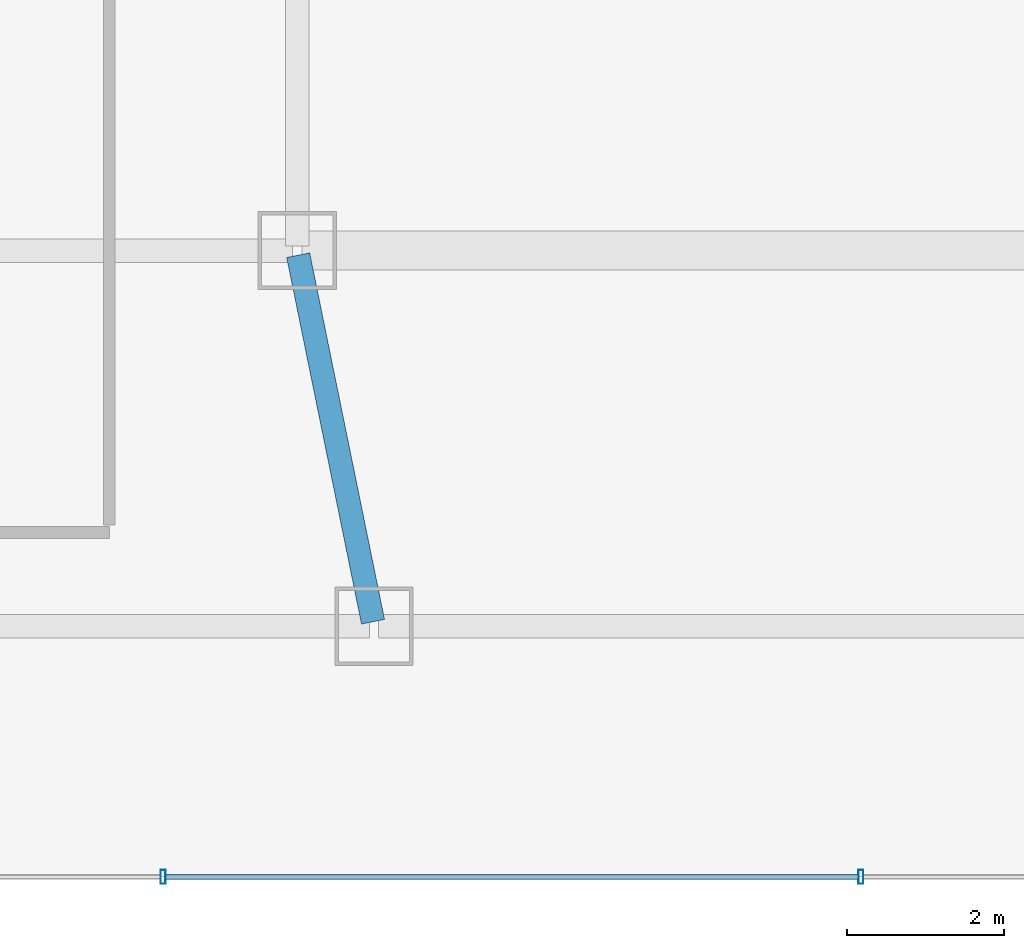
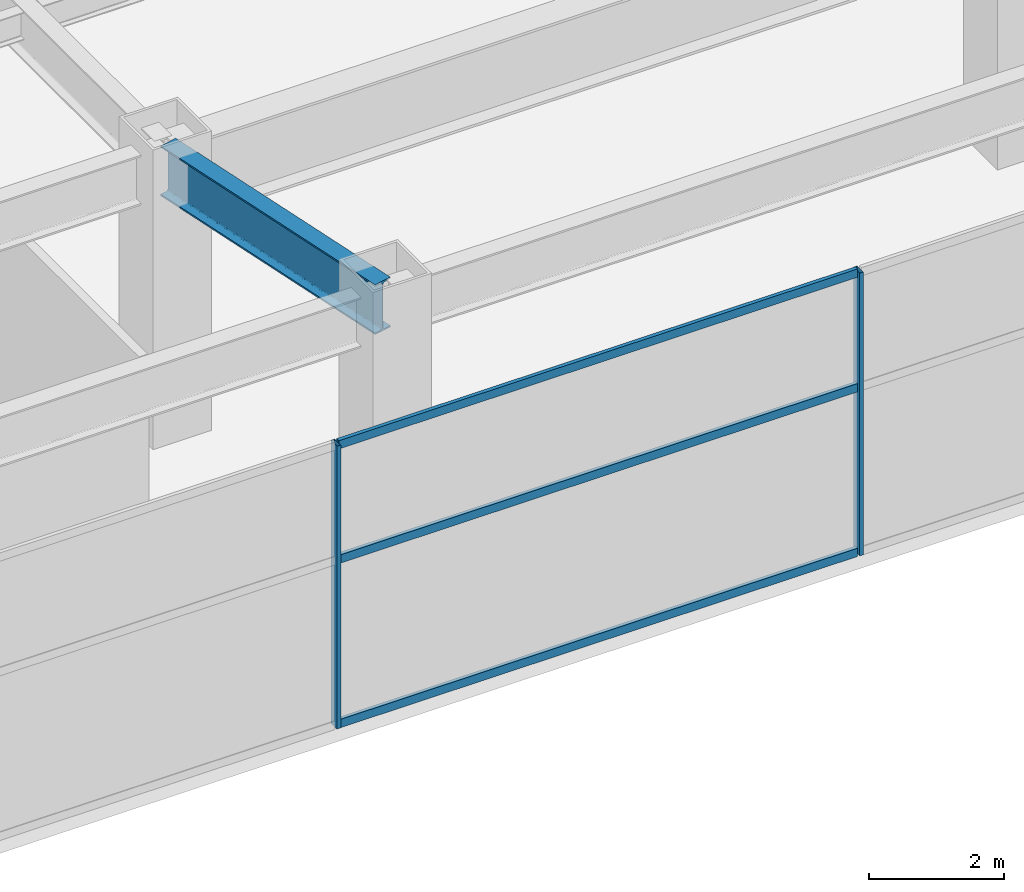
# One storey, part 10 of 51: 5 members, 1 beam, 1 element without a shape of its own.
"""IFC4 building model written with IfcOpenShell, lengths in metres."""

from ifc_helpers import new_model, si_unit, direction, frame, origin, origin_2d, place, context, subcontext, project, spatial, hollow_rectangle, i_section, extrude, material, material_profile, profile_set, type_object, element, aggregate, save


model = new_model("IFC4")

# Units and contexts
model_context = context("Model", 3, precision=1e-05, world=origin(), true_north=direction((0.0, 1.0)))
body_context = subcontext(model_context, "Body", "Model", "MODEL_VIEW")
ifc_project = project(units=[si_unit("LENGTHUNIT", "METRE"), si_unit("AREAUNIT", "SQUARE_METRE"), si_unit("VOLUMEUNIT", "CUBIC_METRE"), si_unit("PLANEANGLEUNIT", "RADIAN"), si_unit("MASSUNIT", "GRAM", prefix="KILO")], contexts=[model_context])

# Site, building, storey
site_placement = place(None, origin())
site = spatial("IfcSite", under=ifc_project, at=site_placement, CompositionType="ELEMENT")
building_placement = place(site_placement, origin())
building = spatial("IfcBuilding", under=site, at=building_placement, Name="Saevonmaru Cultural Tower", CompositionType="ELEMENT")
storey_placement = place(building_placement, frame((0.0, 0.0, 6.0)))
storey = spatial("IfcBuildingStorey", under=building, at=storey_placement, Name="L01", CompositionType="ELEMENT", Elevation=6.0)

# Beam
ifc_material_1 = material(Name="Steel SM420", Category="steel")
ifc_material_profile_1 = material_profile(ifc_material_1, i_section(OverallWidth=0.300048828125, OverallDepth=0.89990234375, WebThickness=0.01611328125, FlangeThickness=0.028076171875, FilletRadius=0.028076171875, at=origin_2d()), Name="H-900x300x16x28")
ifc_profile_set_1 = profile_set([ifc_material_profile_1], Name="Steel SM420")
beam_type = type_object("IfcBeamType", Name="BM-G-H900", PredefinedType="BEAM", material=ifc_profile_set_1)
beam_placement = place(storey_placement, frame((23.76806640625, 3.2587890625, 4.64990234375), z_axis=(-0.200054094908, 0.979784853481, 0.0), x_axis=(-0.979784853481, -0.200054094908, 0.0)))
element("IfcBeam", 1, at=beam_placement, inside=storey, type_object=beam_type, Name="L01 Podium Girder NS2-1", PredefinedType="BEAM", context=body_context, shape_type="SweptSolid", body=[
    extrude(i_section(OverallWidth=0.300048828125, OverallDepth=0.89990234375, WebThickness=0.01611328125, FlangeThickness=0.028076171875, FilletRadius=0.028076171875, at=origin_2d()), origin(), (0.0, 0.0, 1.0), 4.779052734375),
])

# Curtain wall, members
ifc_material_2 = material(Name="Satin Bronze Anodised Aluminium", Category="aluminium")
curtain_wall_type = type_object("IfcCurtainWallType", Name="CW-POD-GLZ", PredefinedType="NOTDEFINED", material=ifc_material_2)
curtain_wall_placement = place(storey_placement, origin())
curtain_wall = element("IfcCurtainWall", 2, at=curtain_wall_placement, inside=storey, type_object=curtain_wall_type, Name="L01 South Grand Foyer Curtain Wall", PredefinedType="NOTDEFINED")
ifc_material_profile_2 = material_profile(ifc_material_2, hollow_rectangle(XDim=0.06494140625, YDim=0.179931640625, WallThickness=0.00390625, at=origin_2d()), Name="ALU-MULL-180x65x4")
ifc_profile_set_2 = profile_set([ifc_material_profile_2], Name="Satin Bronze Anodised Aluminium")
member_type_1 = type_object("IfcMemberType", Name="ML-CW-180x65", PredefinedType="MULLION", material=ifc_profile_set_2)
member_1_placement = place(storey_placement, frame((21.086669921875, 0.0, 0.0), z_axis=(0.0, 0.0, 1.0), x_axis=(1.0, 0.0, 0.0)))
member_1 = element("IfcMember", 3, at=member_1_placement, type_object=member_type_1, Name="CW-POD-S-L01 mullion 3", PredefinedType="MULLION", context=body_context, shape_type="SweptSolid", body=[
    extrude(hollow_rectangle(XDim=0.06494140625, YDim=0.179931640625, WallThickness=0.00390625, at=origin_2d()), origin(), (0.0, 0.0, 1.0), 5.10009765625),
])
member_2_placement = place(storey_placement, frame((30.0, 0.0, 0.0), z_axis=(0.0, 0.0, 1.0), x_axis=(1.0, 0.0, 0.0)))
member_2 = element("IfcMember", 4, at=member_2_placement, type_object=member_type_1, Name="CW-POD-S-L01 mullion 4", PredefinedType="MULLION", context=body_context, shape_type="SweptSolid", body=[
    extrude(hollow_rectangle(XDim=0.06494140625, YDim=0.179931640625, WallThickness=0.00390625, at=origin_2d()), origin(), (0.0, 0.0, 1.0), 5.10009765625),
])
ifc_material_profile_3 = material_profile(ifc_material_2, hollow_rectangle(XDim=0.06494140625, YDim=0.14990234375, WallThickness=0.00390625, at=origin_2d()), Name="ALU-TRAN-150x65x4")
ifc_profile_set_3 = profile_set([ifc_material_profile_3], Name="Satin Bronze Anodised Aluminium")
member_type_2 = type_object("IfcMemberType", Name="TR-CW-150x65", PredefinedType="USERDEFINED", material=ifc_profile_set_3)
member_3_placement = place(storey_placement, frame((21.119140625, 0.0, 0.032470703125), z_axis=(1.0, 0.0, 0.0), x_axis=(0.0, 1.0, 0.0)))
member_3 = element("IfcMember", 5, at=member_3_placement, type_object=member_type_2, Name="CW-POD-S-L01 transom 3.1", ObjectType="TRANSOM", PredefinedType="USERDEFINED", context=body_context, shape_type="SweptSolid", body=[
    extrude(hollow_rectangle(XDim=0.06494140625, YDim=0.14990234375, WallThickness=0.00390625, at=origin_2d()), origin(), (0.0, 0.0, 1.0), 8.848388671875),
])
member_4_placement = place(storey_placement, frame((21.119140625, 0.0, 3.0), z_axis=(1.0, 0.0, 0.0), x_axis=(0.0, 1.0, 0.0)))
member_4 = element("IfcMember", 6, at=member_4_placement, type_object=member_type_2, Name="CW-POD-S-L01 transom 3.2", ObjectType="TRANSOM", PredefinedType="USERDEFINED", context=body_context, shape_type="SweptSolid", body=[
    extrude(hollow_rectangle(XDim=0.06494140625, YDim=0.14990234375, WallThickness=0.00390625, at=origin_2d()), origin(), (0.0, 0.0, 1.0), 8.848388671875),
])
member_5_placement = place(storey_placement, frame((21.119140625, 0.0, 5.0673828125), z_axis=(1.0, 0.0, 0.0), x_axis=(0.0, 1.0, 0.0)))
member_5 = element("IfcMember", 7, at=member_5_placement, type_object=member_type_2, Name="CW-POD-S-L01 transom 3.3", ObjectType="TRANSOM", PredefinedType="USERDEFINED", context=body_context, shape_type="SweptSolid", body=[
    extrude(hollow_rectangle(XDim=0.06494140625, YDim=0.14990234375, WallThickness=0.00390625, at=origin_2d()), origin(), (0.0, 0.0, 1.0), 8.848388671875),
])
aggregate(curtain_wall, [member_1, member_2, member_3, member_4, member_5])

save(model, "model.ifc")
